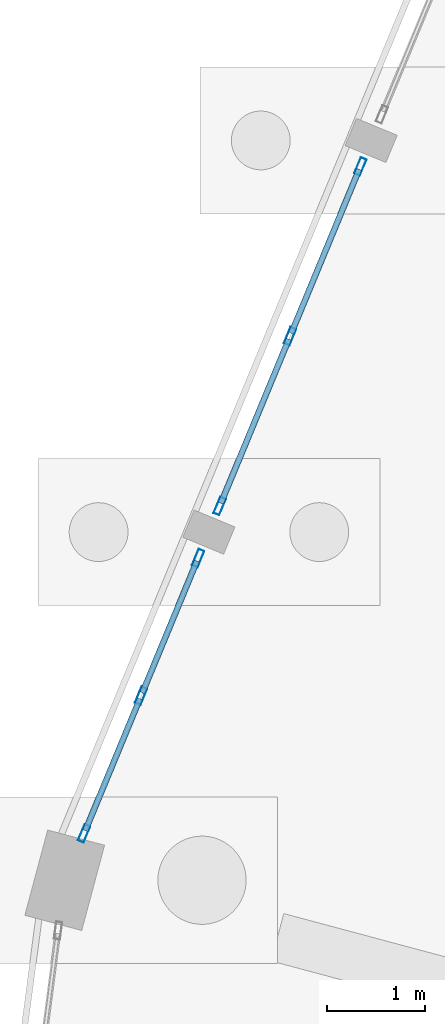
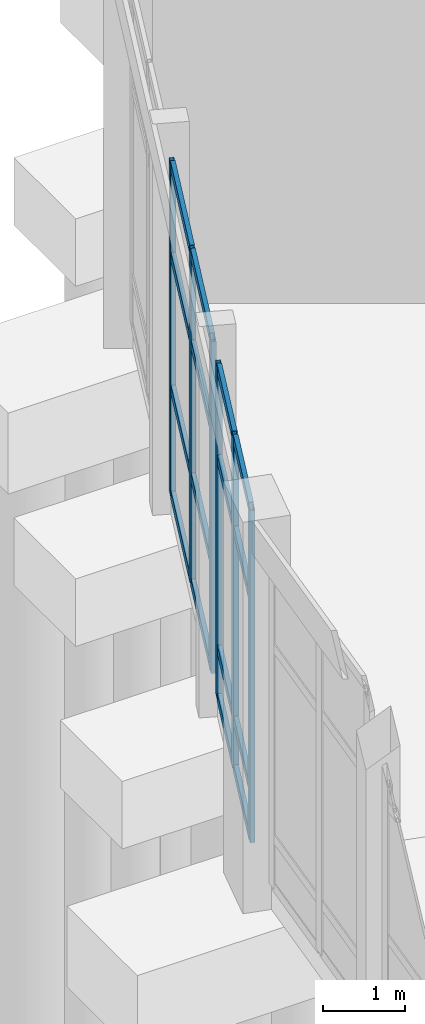
# One storey, part 49 of 137: 22 members, 2 elements without a shape of their own.
"""IFC4 building model written with IfcOpenShell, lengths in metres."""

import ifcopenshell
import ifcopenshell.guid

model = None  # the IFC model being written
_history = None  # IfcOwnerHistory: only IFC2X3 demands one
_inside = {}  # id of a spatial element -> (the spatial element, [elements in it])
_under = {}  # id of a project, library or spatial element -> (it, [spatial elements below it])
_declared = {}  # id of a project -> (the project, [libraries it declares])
_typed = {}  # id of a type object -> (the type object, [elements of that type])
_made_of = {}  # id of a material, layer set ... -> (it, [elements and type objects made of it])


def new_model(schema):
    """Start an empty IFC model of exactly this schema.

    Asked for "IFC4X3", IfcOpenShell would pick the latest addendum, in which some entities
    have other attributes; the version numbers below select the first issue.
    IFC2X3 requires an IfcOwnerHistory on every rooted entity: one is made here for all.
    """
    global model, _history
    if schema == "IFC4X3":
        model = ifcopenshell.file(schema_version=(4, 3, 0, 0))
    else:
        model = ifcopenshell.file(schema=schema)
    _inside.clear()
    _under.clear()
    _declared.clear()
    _typed.clear()
    _made_of.clear()
    _history = None
    if model.schema == "IFC2X3":
        org = make("IfcOrganization", Name="unknown")
        user = make(
            "IfcPersonAndOrganization",
            ThePerson=make("IfcPerson", FamilyName="unknown"),
            TheOrganization=org,
        )
        app = make(
            "IfcApplication",
            ApplicationDeveloper=org,
            Version="unknown",
            ApplicationFullName="unknown",
            ApplicationIdentifier="unknown",
        )
        _history = make(
            "IfcOwnerHistory",
            OwningUser=user,
            OwningApplication=app,
            ChangeAction="ADDED",
            CreationDate=0,
        )
    return model


def make(cls, **values):
    """One entity of the class cls with the attributes given. An attribute that is None is left unset."""
    return model.create_entity(
        cls, **{name: value for name, value in values.items() if value is not None}
    )


def rooted(cls, **values):
    """An entity with a GlobalId (a new one), such as an element, a storey or a relation."""
    return make(cls, GlobalId=ifcopenshell.guid.new(), OwnerHistory=_history, **values)


def si_unit(unit_type, name, prefix=None):
    """IfcSIUnit, for example si_unit("LENGTHUNIT", "METRE", prefix="MILLI")."""
    return make("IfcSIUnit", UnitType=unit_type, Prefix=prefix, Name=name)


def assignment(units):
    """IfcUnitAssignment: the units of a project."""
    return None if units is None else make("IfcUnitAssignment", Units=units)


def point(xyz):
    """IfcCartesianPoint."""
    return None if xyz is None else make("IfcCartesianPoint", Coordinates=xyz)


def direction(xyz):
    """IfcDirection."""
    return None if xyz is None else make("IfcDirection", DirectionRatios=xyz)


def frame(location, z_axis=None, x_axis=None):
    """IfcAxis2Placement3D, a coordinate frame: its origin and axes. An axis left out is left unset."""
    return make(
        "IfcAxis2Placement3D",
        Location=point(location),
        Axis=direction(z_axis),
        RefDirection=direction(x_axis),
    )


def frame_2d(location, x_axis=None):
    """IfcAxis2Placement2D, a coordinate frame in the plane: its origin and x axis."""
    return make(
        "IfcAxis2Placement2D", Location=point(location), RefDirection=direction(x_axis)
    )


def origin():
    """The frame at (0, 0, 0) with its axes left unset."""
    return frame((0.0, 0.0, 0.0))


def origin_2d():
    """The frame at (0, 0) in the plane with its x axis left unset."""
    return frame_2d((0.0, 0.0))


def place(relative_to, where):
    """IfcLocalPlacement: puts the frame where relative to a parent placement (None: the world)."""
    return make(
        "IfcLocalPlacement", PlacementRelTo=relative_to, RelativePlacement=where
    )


def context(
    kind, dimensions, precision=None, world=None, true_north=None, identifier=None
):
    """IfcGeometricRepresentationContext, for example the 3D "Model" context."""
    return make(
        "IfcGeometricRepresentationContext",
        ContextIdentifier=identifier,
        ContextType=kind,
        CoordinateSpaceDimension=dimensions,
        Precision=precision,
        WorldCoordinateSystem=world,
        TrueNorth=true_north,
    )


def subcontext(parent, identifier, kind, view, scale=None):
    """IfcGeometricRepresentationSubContext, for example "Body" below "Model"."""
    return make(
        "IfcGeometricRepresentationSubContext",
        ContextIdentifier=identifier,
        ContextType=kind,
        ParentContext=parent,
        TargetScale=scale,
        TargetView=view,
    )


def project(units=None, contexts=None):
    """IfcProject with its units and contexts."""
    return rooted(
        "IfcProject",
        Name="project",
        RepresentationContexts=contexts,
        UnitsInContext=assignment(units),
    )


def spatial(cls, under=None, at=None, **own):
    """A site, building, storey or space (cls), placed at a placement, below another one or the project."""
    s = rooted(cls, ObjectPlacement=at, **own)
    if under is not None:
        _under.setdefault(under.id(), (under, []))[1].append(s)
    return s


def profile(cls, at=None, kind="AREA", **sizes):
    """A parametric profile (cls). Its sizes go by their IFC names, for example OverallWidth=200.0."""
    return make(cls, ProfileType=kind, Position=at, **sizes)


def hollow_rectangle(**sizes):
    """IfcRectangleHollowProfileDef."""
    return profile("IfcRectangleHollowProfileDef", **sizes)


def extrude(swept, where, along, depth):
    """IfcExtrudedAreaSolid: the profile swept, set in the frame where, extruded along a direction by depth."""
    return make(
        "IfcExtrudedAreaSolid",
        SweptArea=swept,
        Position=where,
        ExtrudedDirection=direction(along),
        Depth=depth,
    )


def shape(context_of_items, identifier, shape_type, items):
    """IfcShapeRepresentation: the items that make up one representation, for example the "Body"."""
    return make(
        "IfcShapeRepresentation",
        ContextOfItems=context_of_items,
        RepresentationIdentifier=identifier,
        RepresentationType=shape_type,
        Items=items,
    )


def material(Name=None, Category=None):
    """IfcMaterial."""
    return make("IfcMaterial", Name=Name, Category=Category)


def material_profile(
    of_material, cross_section, Name=None, Category=None, Priority=None
):
    """IfcMaterialProfile: a cross section and its material."""
    return make(
        "IfcMaterialProfile",
        Name=Name,
        Material=of_material,
        Profile=cross_section,
        Priority=Priority,
        Category=Category,
    )


def profile_set(profiles, Name=None, composite=None):
    """IfcMaterialProfileSet."""
    return make(
        "IfcMaterialProfileSet",
        Name=Name,
        MaterialProfiles=profiles,
        CompositeProfile=composite,
    )


def made_of(thing, what):
    """Note that an element or type object is made of a material, layer set ...; save() writes the relation."""
    if what is not None:
        _made_of.setdefault(what.id(), (what, []))[1].append(thing)
    return thing


def type_object(cls, material=None, **own):
    """A type object (cls), such as IfcWallType, which elements share."""
    return made_of(rooted(cls, **own), material)


def element(
    cls,
    number,
    at=None,
    inside=None,
    cuts=None,
    type_object=None,
    material=None,
    context=None,
    identifier="Body",
    shape_type=None,
    held_by="IfcProductDefinitionShape",
    body=None,
    shapes=None,
    **own,
):
    """One element of the class cls, such as IfcWall. Its Tag is "e" and its number.

    at: its placement. inside: the storey or other place that contains it. cuts: it is an
    opening in that element (IfcRelVoidsElement). A single representation is given by context,
    identifier, shape_type and body (its items); several are given by shapes. held_by: the class
    of the entity that holds the representations. save() writes the other relations.
    """
    e = rooted(cls, Tag="e%d" % number, ObjectPlacement=at, **own)
    if body is not None:
        shapes = [shape(context, identifier, shape_type, body)]
    if shapes is not None:
        e.Representation = make(held_by, Representations=shapes)
    if inside is not None:
        _inside.setdefault(inside.id(), (inside, []))[1].append(e)
    if cuts is not None:
        rooted(
            "IfcRelVoidsElement", RelatingBuildingElement=cuts, RelatedOpeningElement=e
        )
    if type_object is not None:
        _typed.setdefault(type_object.id(), (type_object, []))[1].append(e)
    return made_of(e, material)


def aggregate(whole, parts):
    """IfcRelAggregates: a whole, such as a stair, and the parts it consists of."""
    return rooted("IfcRelAggregates", RelatingObject=whole, RelatedObjects=parts)


def save(model, path):
    """Write the relations noted so far, then the file.

    IfcRelAggregates (storeys below a building ...), IfcRelContainedInSpatialStructure (elements
    in a storey), IfcRelDefinesByType, IfcRelAssociatesMaterial and IfcRelDeclares: one each for
    every whole, place, type object, material and project.
    """
    for whole, parts in _under.values():
        aggregate(whole, parts)
    for where, things in _inside.values():
        rooted(
            "IfcRelContainedInSpatialStructure",
            RelatedElements=things,
            RelatingStructure=where,
        )
    for kind, things in _typed.values():
        rooted("IfcRelDefinesByType", RelatedObjects=things, RelatingType=kind)
    for what, things in _made_of.values():
        rooted("IfcRelAssociatesMaterial", RelatedObjects=things, RelatingMaterial=what)
    for by, libraries in _declared.values():
        rooted("IfcRelDeclares", RelatingContext=by, RelatedDefinitions=libraries)
    model.write(path)


model = new_model("IFC4")

# Units and contexts
model_context = context("Model", 3, precision=1e-05, world=origin(), true_north=direction((0.0, 1.0)))
body_context = subcontext(model_context, "Body", "Model", "MODEL_VIEW")
ifc_project = project(units=[si_unit("LENGTHUNIT", "METRE"), si_unit("AREAUNIT", "SQUARE_METRE"), si_unit("VOLUMEUNIT", "CUBIC_METRE"), si_unit("PLANEANGLEUNIT", "RADIAN"), si_unit("MASSUNIT", "GRAM", prefix="KILO")], contexts=[model_context])

# Site, building, storey
site_placement = place(None, origin())
site = spatial("IfcSite", under=ifc_project, at=site_placement, CompositionType="ELEMENT")
building_placement = place(site_placement, origin())
building = spatial("IfcBuilding", under=site, at=building_placement, Name="Vondelvale Polytechnic", CompositionType="ELEMENT")
storey_placement = place(building_placement, origin())
storey = spatial("IfcBuildingStorey", under=building, at=storey_placement, Name="L00", CompositionType="ELEMENT", Elevation=0.0)

# Curtain wall, members
ifc_material_1 = material(Name="Glulam GL18 structural Tasmanian oak (fb = 42 MPa)", Category="wood")
curtain_wall_type = type_object("IfcCurtainWallType", Name="CW-RING-OUTER", PredefinedType="NOTDEFINED", material=ifc_material_1)
curtain_wall_1_placement = place(storey_placement, origin())
curtain_wall_1 = element("IfcCurtainWall", 1, at=curtain_wall_1_placement, inside=storey, type_object=curtain_wall_type, Name="L00 architectural curtain wall CW-04-227", PredefinedType="NOTDEFINED")
ifc_material_2 = material(Name="Anodised extruded aluminium 6063-T6", Category="aluminium")
ifc_material_profile_1 = material_profile(ifc_material_2, hollow_rectangle(XDim=0.06494140625, YDim=0.179931640625, WallThickness=0.00390625, at=origin_2d()), Name="CW-MUL-180x65")
ifc_profile_set_1 = profile_set([ifc_material_profile_1], Name="Anodised extruded aluminium 6063-T6")
member_type_1 = type_object("IfcMemberType", Name="CW-MUL-65x180", PredefinedType="MULLION", material=ifc_profile_set_1)
member_1_placement = place(storey_placement, frame((60.582275390625, 91.18408203125, 0.0), z_axis=(0.0, 0.0, 1.0), x_axis=(0.92387490701, -0.382694599123, 0.0)))
member_1 = element("IfcMember", 2, at=member_1_placement, type_object=member_type_1, Name="CW-04-227 mullion 1", PredefinedType="MULLION", context=body_context, shape_type="SweptSolid", body=[
    extrude(hollow_rectangle(XDim=0.06494140625, YDim=0.179931640625, WallThickness=0.00390625, at=origin_2d()), origin(), (0.0, 0.0, 1.0), 4.919921875),
])
member_2_placement = place(storey_placement, frame((59.864990234375, 89.452880859375, 0.0), z_axis=(0.0, 0.0, 1.0), x_axis=(0.92387490701, -0.382694599123, 0.0)))
member_2 = element("IfcMember", 3, at=member_2_placement, type_object=member_type_1, Name="CW-04-227 mullion 2", PredefinedType="MULLION", context=body_context, shape_type="SweptSolid", body=[
    extrude(hollow_rectangle(XDim=0.06494140625, YDim=0.179931640625, WallThickness=0.00390625, at=origin_2d()), origin(), (0.0, 0.0, 1.0), 4.919921875),
])
member_3_placement = place(storey_placement, frame((59.14794921875, 87.721435546875, 0.0), z_axis=(0.0, 0.0, 1.0), x_axis=(0.92387490701, -0.382694599123, 0.0)))
member_3 = element("IfcMember", 4, at=member_3_placement, type_object=member_type_1, Name="CW-04-227 mullion 3", PredefinedType="MULLION", context=body_context, shape_type="SweptSolid", body=[
    extrude(hollow_rectangle(XDim=0.06494140625, YDim=0.179931640625, WallThickness=0.00390625, at=origin_2d()), origin(), (0.0, 0.0, 1.0), 4.919921875),
])

curtain_wall_2_placement = place(storey_placement, origin())
curtain_wall_2 = element("IfcCurtainWall", 5, at=curtain_wall_2_placement, inside=storey, type_object=curtain_wall_type, Name="L00 architectural curtain wall CW-04-228", PredefinedType="NOTDEFINED")
member_4_placement = place(storey_placement, frame((58.927978515625, 87.190185546875, 0.0), z_axis=(0.0, 0.0, 1.0), x_axis=(0.92388135159, -0.382679040691, 0.0)))
member_4 = element("IfcMember", 6, at=member_4_placement, type_object=member_type_1, Name="CW-04-228 mullion 1", PredefinedType="MULLION", context=body_context, shape_type="SweptSolid", body=[
    extrude(hollow_rectangle(XDim=0.06494140625, YDim=0.179931640625, WallThickness=0.00390625, at=origin_2d()), origin(), (0.0, 0.0, 1.0), 4.919921875),
])
member_5_placement = place(storey_placement, frame((58.346435546875, 85.78662109375, 0.0), z_axis=(0.0, 0.0, 1.0), x_axis=(0.92388135159, -0.382679040691, 0.0)))
member_5 = element("IfcMember", 7, at=member_5_placement, type_object=member_type_1, Name="CW-04-228 mullion 2", PredefinedType="MULLION", context=body_context, shape_type="SweptSolid", body=[
    extrude(hollow_rectangle(XDim=0.06494140625, YDim=0.179931640625, WallThickness=0.00390625, at=origin_2d()), origin(), (0.0, 0.0, 1.0), 4.919921875),
])
member_6_placement = place(storey_placement, frame((57.76513671875, 84.3828125, 0.0), z_axis=(0.0, 0.0, 1.0), x_axis=(0.92388135159, -0.382679040691, 0.0)))
member_6 = element("IfcMember", 8, at=member_6_placement, type_object=member_type_1, Name="CW-04-228 mullion 3", PredefinedType="MULLION", context=body_context, shape_type="SweptSolid", body=[
    extrude(hollow_rectangle(XDim=0.06494140625, YDim=0.179931640625, WallThickness=0.00390625, at=origin_2d()), origin(), (0.0, 0.0, 1.0), 4.919921875),
])

# Member
ifc_material_profile_2 = material_profile(ifc_material_2, hollow_rectangle(XDim=0.06005859375, YDim=0.139892578125, WallThickness=0.00341796875, at=origin_2d()), Name="CW-TRN-140x60")
ifc_profile_set_2 = profile_set([ifc_material_profile_2], Name="Anodised extruded aluminium 6063-T6")
member_type_2 = type_object("IfcMemberType", Name="CW-TRN-60x140", PredefinedType="USERDEFINED", material=ifc_profile_set_2)
member_7_placement = place(storey_placement, frame((60.56982421875, 91.154052734375, 0.030029296875), z_axis=(-0.382765012338, -0.92384573676, 0.0), x_axis=(0.92384573676, -0.382765012338, 0.0)))
member_7 = element("IfcMember", 9, at=member_7_placement, type_object=member_type_2, Name="CW-04-227 transom 1.1", ObjectType="TRANSOM", PredefinedType="USERDEFINED", context=body_context, shape_type="SweptSolid", body=[
    extrude(hollow_rectangle(XDim=0.06005859375, YDim=0.139892578125, WallThickness=0.00341796875, at=origin_2d()), origin(), (0.0, 0.0, 1.0), 1.808837890625),
])

member_8_placement = place(storey_placement, frame((60.56982421875, 91.154052734375, 1.60009765625), z_axis=(-0.382765012338, -0.92384573676, 0.0), x_axis=(0.92384573676, -0.382765012338, 0.0)))
member_8 = element("IfcMember", 10, at=member_8_placement, type_object=member_type_2, Name="CW-04-227 transom 1.2", ObjectType="TRANSOM", PredefinedType="USERDEFINED", context=body_context, shape_type="SweptSolid", body=[
    extrude(hollow_rectangle(XDim=0.06005859375, YDim=0.139892578125, WallThickness=0.00341796875, at=origin_2d()), origin(), (0.0, 0.0, 1.0), 1.808837890625),
])

member_9_placement = place(storey_placement, frame((60.56982421875, 91.154052734375, 3.570068359375), z_axis=(-0.382765012338, -0.92384573676, 0.0), x_axis=(0.92384573676, -0.382765012338, 0.0)))
member_9 = element("IfcMember", 11, at=member_9_placement, type_object=member_type_2, Name="CW-04-227 transom 1.3", ObjectType="TRANSOM", PredefinedType="USERDEFINED", context=body_context, shape_type="SweptSolid", body=[
    extrude(hollow_rectangle(XDim=0.06005859375, YDim=0.139892578125, WallThickness=0.00341796875, at=origin_2d()), origin(), (0.0, 0.0, 1.0), 1.808837890625),
])

member_10_placement = place(storey_placement, frame((60.56982421875, 91.154052734375, 4.889892578125), z_axis=(-0.382765012338, -0.92384573676, 0.0), x_axis=(0.92384573676, -0.382765012338, 0.0)))
member_10 = element("IfcMember", 12, at=member_10_placement, type_object=member_type_2, Name="CW-04-227 transom 1.4", ObjectType="TRANSOM", PredefinedType="USERDEFINED", context=body_context, shape_type="SweptSolid", body=[
    extrude(hollow_rectangle(XDim=0.06005859375, YDim=0.139892578125, WallThickness=0.00341796875, at=origin_2d()), origin(), (0.0, 0.0, 1.0), 1.808837890625),
])

member_11_placement = place(storey_placement, frame((59.852783203125, 89.4228515625, 0.030029296875), z_axis=(-0.382717291485, -0.923865506878, 0.0), x_axis=(0.923865506878, -0.382717291485, 0.0)))
member_11 = element("IfcMember", 13, at=member_11_placement, type_object=member_type_2, Name="CW-04-227 transom 2.1", ObjectType="TRANSOM", PredefinedType="USERDEFINED", context=body_context, shape_type="SweptSolid", body=[
    extrude(hollow_rectangle(XDim=0.06005859375, YDim=0.139892578125, WallThickness=0.00341796875, at=origin_2d()), origin(), (0.0, 0.0, 1.0), 1.80908203125),
])

member_12_placement = place(storey_placement, frame((59.852783203125, 89.4228515625, 1.60009765625), z_axis=(-0.382717291485, -0.923865506878, 0.0), x_axis=(0.923865506878, -0.382717291485, 0.0)))
member_12 = element("IfcMember", 14, at=member_12_placement, type_object=member_type_2, Name="CW-04-227 transom 2.2", ObjectType="TRANSOM", PredefinedType="USERDEFINED", context=body_context, shape_type="SweptSolid", body=[
    extrude(hollow_rectangle(XDim=0.06005859375, YDim=0.139892578125, WallThickness=0.00341796875, at=origin_2d()), origin(), (0.0, 0.0, 1.0), 1.80908203125),
])

member_13_placement = place(storey_placement, frame((59.852783203125, 89.4228515625, 3.570068359375), z_axis=(-0.382717291485, -0.923865506878, 0.0), x_axis=(0.923865506878, -0.382717291485, 0.0)))
member_13 = element("IfcMember", 15, at=member_13_placement, type_object=member_type_2, Name="CW-04-227 transom 2.3", ObjectType="TRANSOM", PredefinedType="USERDEFINED", context=body_context, shape_type="SweptSolid", body=[
    extrude(hollow_rectangle(XDim=0.06005859375, YDim=0.139892578125, WallThickness=0.00341796875, at=origin_2d()), origin(), (0.0, 0.0, 1.0), 1.80908203125),
])

member_14_placement = place(storey_placement, frame((59.852783203125, 89.4228515625, 4.889892578125), z_axis=(-0.382717291485, -0.923865506878, 0.0), x_axis=(0.923865506878, -0.382717291485, 0.0)))
member_14 = element("IfcMember", 16, at=member_14_placement, type_object=member_type_2, Name="CW-04-227 transom 2.4", ObjectType="TRANSOM", PredefinedType="USERDEFINED", context=body_context, shape_type="SweptSolid", body=[
    extrude(hollow_rectangle(XDim=0.06005859375, YDim=0.139892578125, WallThickness=0.00341796875, at=origin_2d()), origin(), (0.0, 0.0, 1.0), 1.80908203125),
])

aggregate(curtain_wall_1, [member_1, member_2, member_3, member_7, member_8, member_9, member_10, member_11, member_12, member_13, member_14])

member_15_placement = place(storey_placement, frame((58.91552734375, 87.16015625, 0.030029296875), z_axis=(-0.382766938144, -0.923844938863, 0.0), x_axis=(0.923844938863, -0.382766938144, 0.0)))
member_15 = element("IfcMember", 17, at=member_15_placement, type_object=member_type_2, Name="CW-04-228 transom 1.1", ObjectType="TRANSOM", PredefinedType="USERDEFINED", context=body_context, shape_type="SweptSolid", body=[
    extrude(hollow_rectangle(XDim=0.06005859375, YDim=0.139892578125, WallThickness=0.00341796875, at=origin_2d()), origin(), (0.0, 0.0, 1.0), 1.454345703125),
])

member_16_placement = place(storey_placement, frame((58.91552734375, 87.16015625, 0.75), z_axis=(-0.382766938144, -0.923844938863, 0.0), x_axis=(0.923844938863, -0.382766938144, 0.0)))
member_16 = element("IfcMember", 18, at=member_16_placement, type_object=member_type_2, Name="CW-04-228 transom 1.2", ObjectType="TRANSOM", PredefinedType="USERDEFINED", context=body_context, shape_type="SweptSolid", body=[
    extrude(hollow_rectangle(XDim=0.06005859375, YDim=0.139892578125, WallThickness=0.00341796875, at=origin_2d()), origin(), (0.0, 0.0, 1.0), 1.454345703125),
])

member_17_placement = place(storey_placement, frame((58.91552734375, 87.16015625, 3.570068359375), z_axis=(-0.382766938144, -0.923844938863, 0.0), x_axis=(0.923844938863, -0.382766938144, 0.0)))
member_17 = element("IfcMember", 19, at=member_17_placement, type_object=member_type_2, Name="CW-04-228 transom 1.3", ObjectType="TRANSOM", PredefinedType="USERDEFINED", context=body_context, shape_type="SweptSolid", body=[
    extrude(hollow_rectangle(XDim=0.06005859375, YDim=0.139892578125, WallThickness=0.00341796875, at=origin_2d()), origin(), (0.0, 0.0, 1.0), 1.454345703125),
])

member_18_placement = place(storey_placement, frame((58.91552734375, 87.16015625, 4.889892578125), z_axis=(-0.382766938144, -0.923844938863, 0.0), x_axis=(0.923844938863, -0.382766938144, 0.0)))
member_18 = element("IfcMember", 20, at=member_18_placement, type_object=member_type_2, Name="CW-04-228 transom 1.4", ObjectType="TRANSOM", PredefinedType="USERDEFINED", context=body_context, shape_type="SweptSolid", body=[
    extrude(hollow_rectangle(XDim=0.06005859375, YDim=0.139892578125, WallThickness=0.00341796875, at=origin_2d()), origin(), (0.0, 0.0, 1.0), 1.454345703125),
])

member_19_placement = place(storey_placement, frame((58.333984375, 85.756591796875, 0.030029296875), z_axis=(-0.382564297979, -0.923928870591, 0.0), x_axis=(0.923928870591, -0.382564297979, 0.0)))
member_19 = element("IfcMember", 21, at=member_19_placement, type_object=member_type_2, Name="CW-04-228 transom 2.1", ObjectType="TRANSOM", PredefinedType="USERDEFINED", context=body_context, shape_type="SweptSolid", body=[
    extrude(hollow_rectangle(XDim=0.06005859375, YDim=0.139892578125, WallThickness=0.00341796875, at=origin_2d()), origin(), (0.0, 0.0, 1.0), 1.454345703125),
])

member_20_placement = place(storey_placement, frame((58.333984375, 85.756591796875, 0.75), z_axis=(-0.382564297979, -0.923928870591, 0.0), x_axis=(0.923928870591, -0.382564297979, 0.0)))
member_20 = element("IfcMember", 22, at=member_20_placement, type_object=member_type_2, Name="CW-04-228 transom 2.2", ObjectType="TRANSOM", PredefinedType="USERDEFINED", context=body_context, shape_type="SweptSolid", body=[
    extrude(hollow_rectangle(XDim=0.06005859375, YDim=0.139892578125, WallThickness=0.00341796875, at=origin_2d()), origin(), (0.0, 0.0, 1.0), 1.454345703125),
])

member_21_placement = place(storey_placement, frame((58.333984375, 85.756591796875, 3.570068359375), z_axis=(-0.382564297979, -0.923928870591, 0.0), x_axis=(0.923928870591, -0.382564297979, 0.0)))
member_21 = element("IfcMember", 23, at=member_21_placement, type_object=member_type_2, Name="CW-04-228 transom 2.3", ObjectType="TRANSOM", PredefinedType="USERDEFINED", context=body_context, shape_type="SweptSolid", body=[
    extrude(hollow_rectangle(XDim=0.06005859375, YDim=0.139892578125, WallThickness=0.00341796875, at=origin_2d()), origin(), (0.0, 0.0, 1.0), 1.454345703125),
])

member_22_placement = place(storey_placement, frame((58.333984375, 85.756591796875, 4.889892578125), z_axis=(-0.382564297979, -0.923928870591, 0.0), x_axis=(0.923928870591, -0.382564297979, 0.0)))
member_22 = element("IfcMember", 24, at=member_22_placement, type_object=member_type_2, Name="CW-04-228 transom 2.4", ObjectType="TRANSOM", PredefinedType="USERDEFINED", context=body_context, shape_type="SweptSolid", body=[
    extrude(hollow_rectangle(XDim=0.06005859375, YDim=0.139892578125, WallThickness=0.00341796875, at=origin_2d()), origin(), (0.0, 0.0, 1.0), 1.454345703125),
])

aggregate(curtain_wall_2, [member_4, member_5, member_6, member_15, member_16, member_17, member_18, member_19, member_20, member_21, member_22])

save(model, "model.ifc")
